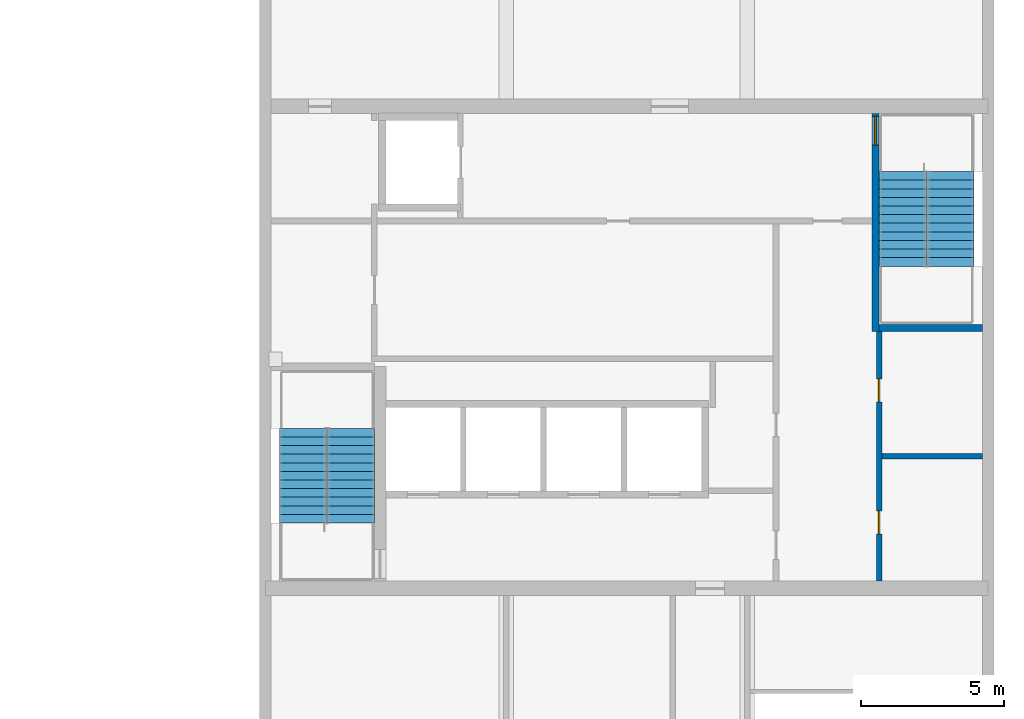
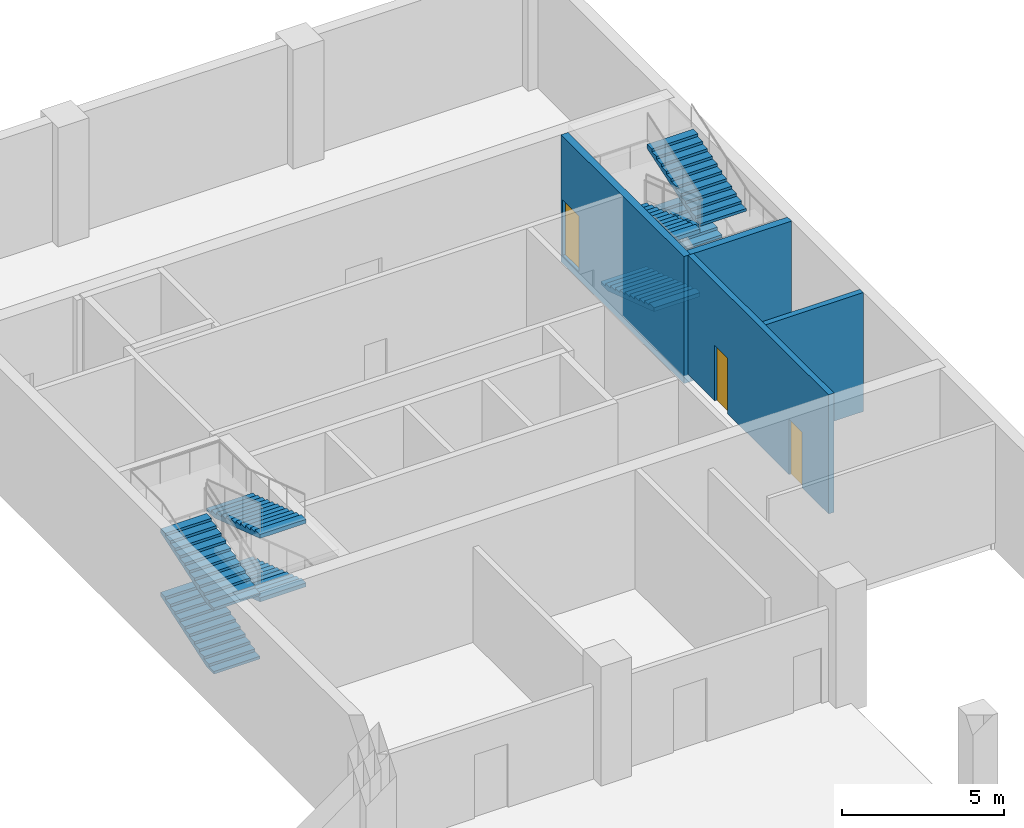
# One storey, part 9 of 13: 8 stair flights, 4 walls, 3 doors, 3 openings, 2 elements without a shape of their own.
"""IFC4 building model written with IfcOpenShell, lengths in metres."""

from ifc_helpers import new_model, si_unit, direction, frame, frame_2d, origin, place, context, subcontext, project, spatial, polyline, rectangle, outline, extrude, material, layer, layer_set, type_object, element, fill, aggregate, save


model = new_model("IFC4")

# Units and contexts
model_context = context("Model", 3, precision=1e-05, world=origin(), true_north=direction((0.0, 1.0)))
body_context = subcontext(model_context, "Body", "Model", "MODEL_VIEW")
ifc_project = project(units=[si_unit("LENGTHUNIT", "METRE"), si_unit("AREAUNIT", "SQUARE_METRE"), si_unit("VOLUMEUNIT", "CUBIC_METRE"), si_unit("PLANEANGLEUNIT", "RADIAN"), si_unit("MASSUNIT", "GRAM", prefix="KILO")], contexts=[model_context])

# Site, building, storey
site_placement = place(None, origin())
site = spatial("IfcSite", under=ifc_project, at=site_placement, CompositionType="ELEMENT")
building_placement = place(site_placement, origin())
building = spatial("IfcBuilding", under=site, at=building_placement, Name="Rulbaag Community and Learning Centre", CompositionType="ELEMENT")
storey_placement = place(building_placement, frame((0.0, 0.0, -4.800048828125)))
storey = spatial("IfcBuildingStorey", under=building, at=storey_placement, Name="B1", CompositionType="ELEMENT", Elevation=-4.800048828125)

# Wall
ifc_material_1 = material(Name="Concrete blockwork", Category="masonry")
ifc_layer_1 = layer(ifc_material_1, 0.199951171875)
ifc_layer_set_1 = layer_set([ifc_layer_1], Name="FW-200 FIRE WALL 200")
wall_type_1 = type_object("IfcWallType", Name="FW-200 FIRE WALL 200", PredefinedType="SOLIDWALL", material=ifc_layer_set_1)
wall_1_placement = place(storey_placement, frame((164.300048828125, 97.0, 0.0), z_axis=(0.0, 0.0, 1.0), x_axis=(1.0, 0.0, 0.0)))
element("IfcWall", 1, at=wall_1_placement, inside=storey, type_object=wall_type_1, Name="Fire wall B1 15", PredefinedType="SOLIDWALL", context=body_context, shape_type="SweptSolid", body=[
    extrude(rectangle(XDim=3.5, YDim=0.199951171875, at=frame_2d((1.75, 0.0))), origin(), (0.0, 0.0, 1.0), 4.5),
])

# Wall, openings, doors
wall_2_placement = place(storey_placement, frame((164.199951171875, 92.64990234375, 0.0), z_axis=(0.0, 0.0, 1.0), x_axis=(0.0, 1.0, 0.0)))
wall_2 = element("IfcWall", 2, at=wall_2_placement, inside=storey, type_object=wall_type_1, Name="Fire wall B1 33", PredefinedType="SOLIDWALL", context=body_context, shape_type="SweptSolid", body=[
    extrude(rectangle(XDim=8.7001953125, YDim=0.199951171875, at=frame_2d((4.35009765625, 0.0))), origin(), (0.0, 0.0, 1.0), 4.5),
])
opening_1_placement = place(wall_2_placement, frame((1.64990234375, 0.0, 0.0)))
opening_1 = element("IfcOpeningElement", 3, at=opening_1_placement, cuts=wall_2, Name="Opening B1-D027", PredefinedType="OPENING", context=body_context, shape_type="SweptSolid", body=[
    extrude(rectangle(XDim=0.800048828125, YDim=2.10009765625, at=frame_2d((0.39990234375, 1.050048828125))), frame((0.0, 0.10986328125, 0.0), z_axis=(0.0, -1.0, 0.0), x_axis=(1.0, 0.0, 0.0)), (0.0, 0.0, 1.0), 0.219970703125),
])
opening_2_placement = place(wall_2_placement, frame((6.25, 0.0, 0.0)))
opening_2 = element("IfcOpeningElement", 4, at=opening_2_placement, cuts=wall_2, Name="Opening B1-D028", PredefinedType="OPENING", context=body_context, shape_type="SweptSolid", body=[
    extrude(rectangle(XDim=0.800048828125, YDim=2.10009765625, at=frame_2d((0.39990234375, 1.050048828125))), frame((0.0, 0.10986328125, 0.0), z_axis=(0.0, -1.0, 0.0), x_axis=(1.0, 0.0, 0.0)), (0.0, 0.0, 1.0), 0.219970703125),
])
ifc_material_2 = material(Name="Galvanised steel", Category="steel")
door_type_1 = type_object("IfcDoorType", Name="FDR-800 RISER FIRE DOOR 800 x 2100", OperationType="SINGLE_SWING_LEFT", PredefinedType="DOOR", material=ifc_material_2)
door_1_placement = place(opening_1_placement, origin())
door_1 = element("IfcDoor", 5, at=door_1_placement, inside=storey, type_object=door_type_1, Name="Riser door B1-D018", OperationType="SINGLE_SWING_LEFT", OverallHeight=2.10009765625, OverallWidth=0.800048828125, PredefinedType="DOOR", context=body_context, shape_type="SweptSolid", body=[
    extrude(rectangle(XDim=0.800048828125, YDim=2.10009765625, at=frame_2d((0.39990234375, 1.050048828125))), frame((0.0, 0.02490234375, 0.0), z_axis=(0.0, -1.0, 0.0), x_axis=(1.0, 0.0, 0.0)), (0.0, 0.0, 1.0), 0.050048828125),
])
fill(opening_1, door_1)
door_2_placement = place(opening_2_placement, origin())
door_2 = element("IfcDoor", 6, at=door_2_placement, inside=storey, type_object=door_type_1, Name="Riser door B1-D019", OperationType="SINGLE_SWING_RIGHT", OverallHeight=2.10009765625, OverallWidth=0.800048828125, PredefinedType="DOOR", context=body_context, shape_type="SweptSolid", body=[
    extrude(rectangle(XDim=0.800048828125, YDim=2.10009765625, at=frame_2d((0.39990234375, 1.050048828125))), frame((0.0, 0.02490234375, 0.0), z_axis=(0.0, -1.0, 0.0), x_axis=(1.0, 0.0, 0.0)), (0.0, 0.0, 1.0), 0.050048828125),
])
fill(opening_2, door_2)

# Wall, opening, door
ifc_material_3 = material(Name="Concrete M40", Category="concrete")
ifc_layer_2 = layer(ifc_material_3, 0.25)
ifc_layer_set_2 = layer_set([ifc_layer_2], Name="W5 Shaft wall 250 Concrete M40")
wall_type_2 = type_object("IfcWallType", Name="W5 Shaft wall 250 Concrete M40", PredefinedType="SHEAR", material=ifc_layer_set_2)
wall_3_placement = place(storey_placement, frame((164.074951171875, 101.35009765625, -0.300048828125), z_axis=(0.0, 0.0, 1.0), x_axis=(0.0, 1.0, 0.0)))
wall_3 = element("IfcWall", 7, at=wall_3_placement, inside=storey, type_object=wall_type_2, Name="WL-ST2-W-B1", PredefinedType="SHEAR", context=body_context, shape_type="SweptSolid", body=[
    extrude(rectangle(XDim=7.599853515625, YDim=0.25, at=frame_2d((3.7998046875, 0.0))), origin(), (0.0, 0.0, 1.0), 4.800048828125),
])
opening_3_placement = place(wall_3_placement, frame((6.5, 0.0, 0.300048828125)))
opening_3 = element("IfcOpeningElement", 8, at=opening_3_placement, cuts=wall_3, Name="Opening B1-D026", PredefinedType="OPENING", context=body_context, shape_type="SweptSolid", body=[
    extrude(rectangle(XDim=1.0, YDim=2.10009765625, at=frame_2d((0.5, 1.050048828125))), frame((0.0, 0.135009765625, 0.0), z_axis=(0.0, -1.0, 0.0), x_axis=(1.0, 0.0, 0.0)), (0.0, 0.0, 1.0), 0.27001953125),
])
door_type_2 = type_object("IfcDoorType", Name="FD-1000 FIRE DOOR 1000 x 2100", OperationType="SINGLE_SWING_LEFT", PredefinedType="DOOR", material=ifc_material_2)
door_3_placement = place(opening_3_placement, origin())
door_3 = element("IfcDoor", 9, at=door_3_placement, inside=storey, type_object=door_type_2, Name="Door B1-D026", OperationType="SINGLE_SWING_LEFT", OverallHeight=2.10009765625, OverallWidth=1.0, PredefinedType="DOOR", context=body_context, shape_type="SweptSolid", body=[
    extrude(rectangle(XDim=1.0, YDim=2.10009765625, at=frame_2d((0.5, 1.050048828125))), frame((0.0, 0.02490234375, 0.0), z_axis=(0.0, -1.0, 0.0), x_axis=(1.0, 0.0, 0.0)), (0.0, 0.0, 1.0), 0.050048828125),
])
fill(opening_3, door_3)

# Wall
wall_4_placement = place(storey_placement, frame((164.199951171875, 101.47509765625, -0.300048828125), z_axis=(0.0, 0.0, 1.0), x_axis=(1.0, 0.0, 0.0)))
element("IfcWall", 10, at=wall_4_placement, inside=storey, type_object=wall_type_2, Name="WL-ST2-S-B1", PredefinedType="SHEAR", context=body_context, shape_type="SweptSolid", body=[
    extrude(rectangle(XDim=3.60009765625, YDim=0.25, at=frame_2d((1.800048828125, 0.0))), origin(), (0.0, 0.0, 1.0), 4.800048828125),
])

# Stair, stair flights
stair_type = type_object("IfcStairType", Name="ST-1650 STAIR 1650 WIDE", PredefinedType="HALF_TURN_STAIR", material=ifc_material_3)
stair_1_placement = place(storey_placement, origin())
stair_1 = element("IfcStair", 11, at=stair_1_placement, inside=storey, type_object=stair_type, Name="Stair ST1 B1", PredefinedType="HALF_TURN_STAIR")
stair_flight_type = type_object("IfcStairFlightType", Name="FL-1650 FLIGHT 1650 WIDE Concrete M40", PredefinedType="STRAIGHT", material=ifc_material_3)
stair_flight_1_placement = place(storey_placement, frame((144.125, 94.675048828125, 0.0), z_axis=(0.0, 0.0, 1.0), x_axis=(0.0, 1.0, 0.0)))
stair_flight_1 = element("IfcStairFlight", 12, at=stair_flight_1_placement, type_object=stair_flight_type, Name="ST1 flight 1", NumberOfRisers=12, NumberOfTreads=11, PredefinedType="STRAIGHT", RiserHeight=0.1, TreadLength=0.3, context=body_context, shape_type="SweptSolid", body=[
    extrude(outline(polyline([(0.0, 0.0), (0.0, 0.10009765625), (0.300048828125, 0.10009765625), (0.300048828125, 0.199951171875), (0.60009765625, 0.199951171875), (0.60009765625, 0.300048828125), (0.89990234375, 0.300048828125), (0.89990234375, 0.39990234375), (1.199951171875, 0.39990234375), (1.199951171875, 0.5), (1.5, 0.5), (1.5, 0.60009765625), (1.800048828125, 0.60009765625), (1.800048828125, 0.699951171875), (2.10009765625, 0.699951171875), (2.10009765625, 0.800048828125), (2.39990234375, 0.800048828125), (2.39990234375, 0.89990234375), (2.699951171875, 0.89990234375), (2.699951171875, 1.0), (3.0, 1.0), (3.0, 1.10009765625), (3.300048828125, 1.10009765625), (3.300048828125, 0.95263671875), (0.4423828125, 0.0), (0.0, 0.0)])), frame((0.0, 0.824951171875, 0.0), z_axis=(0.0, -1.0, 0.0), x_axis=(1.0, 0.0, 0.0)), (0.0, 0.0, 1.0), 1.64990234375),
])
stair_flight_2_placement = place(storey_placement, frame((145.77490234375, 97.97509765625, 1.199951171875), z_axis=(0.0, 0.0, 1.0), x_axis=(0.0, -1.0, 0.0)))
stair_flight_2 = element("IfcStairFlight", 13, at=stair_flight_2_placement, type_object=stair_flight_type, Name="ST1 flight 2", NumberOfRisers=12, NumberOfTreads=11, PredefinedType="STRAIGHT", RiserHeight=0.1, TreadLength=0.3, context=body_context, shape_type="SweptSolid", body=[
    extrude(outline(polyline([(0.0, 0.0), (0.0, 0.10009765625), (0.300048828125, 0.10009765625), (0.300048828125, 0.199951171875), (0.60009765625, 0.199951171875), (0.60009765625, 0.300048828125), (0.89990234375, 0.300048828125), (0.89990234375, 0.39990234375), (1.199951171875, 0.39990234375), (1.199951171875, 0.5), (1.5, 0.5), (1.5, 0.60009765625), (1.800048828125, 0.60009765625), (1.800048828125, 0.699951171875), (2.10009765625, 0.699951171875), (2.10009765625, 0.800048828125), (2.39990234375, 0.800048828125), (2.39990234375, 0.89990234375), (2.699951171875, 0.89990234375), (2.699951171875, 1.0), (3.0, 1.0), (3.0, 1.10009765625), (3.300048828125, 1.10009765625), (3.300048828125, 0.95263671875), (0.4423828125, 0.0), (0.0, 0.0)])), frame((0.0, 0.824951171875, 0.0), z_axis=(0.0, -1.0, 0.0), x_axis=(1.0, 0.0, 0.0)), (0.0, 0.0, 1.0), 1.64990234375),
])
stair_flight_3_placement = place(storey_placement, frame((144.125, 94.675048828125, 2.400146484375), z_axis=(0.0, 0.0, 1.0), x_axis=(0.0, 1.0, 0.0)))
stair_flight_3 = element("IfcStairFlight", 14, at=stair_flight_3_placement, type_object=stair_flight_type, Name="ST1 flight 3", NumberOfRisers=12, NumberOfTreads=11, PredefinedType="STRAIGHT", RiserHeight=0.1, TreadLength=0.3, context=body_context, shape_type="SweptSolid", body=[
    extrude(outline(polyline([(0.0, 0.0), (0.0, 0.10009765625), (0.300048828125, 0.10009765625), (0.300048828125, 0.199951171875), (0.60009765625, 0.199951171875), (0.60009765625, 0.300048828125), (0.89990234375, 0.300048828125), (0.89990234375, 0.39990234375), (1.199951171875, 0.39990234375), (1.199951171875, 0.5), (1.5, 0.5), (1.5, 0.60009765625), (1.800048828125, 0.60009765625), (1.800048828125, 0.699951171875), (2.10009765625, 0.699951171875), (2.10009765625, 0.800048828125), (2.39990234375, 0.800048828125), (2.39990234375, 0.89990234375), (2.699951171875, 0.89990234375), (2.699951171875, 1.0), (3.0, 1.0), (3.0, 1.10009765625), (3.300048828125, 1.10009765625), (3.300048828125, 0.95263671875), (0.4423828125, 0.0), (0.0, 0.0)])), frame((0.0, 0.824951171875, 0.0), z_axis=(0.0, -1.0, 0.0), x_axis=(1.0, 0.0, 0.0)), (0.0, 0.0, 1.0), 1.64990234375),
])
stair_flight_4_placement = place(storey_placement, frame((145.77490234375, 97.97509765625, 3.60009765625), z_axis=(0.0, 0.0, 1.0), x_axis=(0.0, -1.0, 0.0)))
stair_flight_4 = element("IfcStairFlight", 15, at=stair_flight_4_placement, type_object=stair_flight_type, Name="ST1 flight 4", NumberOfRisers=12, NumberOfTreads=11, PredefinedType="STRAIGHT", RiserHeight=0.1, TreadLength=0.3, context=body_context, shape_type="SweptSolid", body=[
    extrude(outline(polyline([(0.0, 0.0), (0.0, 0.10009765625), (0.300048828125, 0.10009765625), (0.300048828125, 0.199951171875), (0.60009765625, 0.199951171875), (0.60009765625, 0.300048828125), (0.89990234375, 0.300048828125), (0.89990234375, 0.39990234375), (1.199951171875, 0.39990234375), (1.199951171875, 0.5), (1.5, 0.5), (1.5, 0.60009765625), (1.800048828125, 0.60009765625), (1.800048828125, 0.699951171875), (2.10009765625, 0.699951171875), (2.10009765625, 0.800048828125), (2.39990234375, 0.800048828125), (2.39990234375, 0.89990234375), (2.699951171875, 0.89990234375), (2.699951171875, 1.0), (3.0, 1.0), (3.0, 1.10009765625), (3.300048828125, 1.10009765625), (3.300048828125, 0.95263671875), (0.4423828125, 0.0), (0.0, 0.0)])), frame((0.0, 0.824951171875, 0.0), z_axis=(0.0, -1.0, 0.0), x_axis=(1.0, 0.0, 0.0)), (0.0, 0.0, 1.0), 1.64990234375),
])
aggregate(stair_1, [stair_flight_1, stair_flight_2, stair_flight_3, stair_flight_4])

stair_2_placement = place(storey_placement, origin())
stair_2 = element("IfcStair", 16, at=stair_2_placement, inside=storey, type_object=stair_type, Name="Stair ST2 B1", PredefinedType="HALF_TURN_STAIR")
stair_flight_5_placement = place(storey_placement, frame((165.02490234375, 106.925048828125, 0.0), z_axis=(0.0, 0.0, 1.0), x_axis=(0.0, -1.0, 0.0)))
stair_flight_5 = element("IfcStairFlight", 17, at=stair_flight_5_placement, type_object=stair_flight_type, Name="ST2 flight 1", NumberOfRisers=12, NumberOfTreads=11, PredefinedType="STRAIGHT", RiserHeight=0.1, TreadLength=0.3, context=body_context, shape_type="SweptSolid", body=[
    extrude(outline(polyline([(0.0, 0.0), (0.0, 0.10009765625), (0.300048828125, 0.10009765625), (0.300048828125, 0.199951171875), (0.60009765625, 0.199951171875), (0.60009765625, 0.300048828125), (0.89990234375, 0.300048828125), (0.89990234375, 0.39990234375), (1.199951171875, 0.39990234375), (1.199951171875, 0.5), (1.5, 0.5), (1.5, 0.60009765625), (1.800048828125, 0.60009765625), (1.800048828125, 0.699951171875), (2.10009765625, 0.699951171875), (2.10009765625, 0.800048828125), (2.39990234375, 0.800048828125), (2.39990234375, 0.89990234375), (2.699951171875, 0.89990234375), (2.699951171875, 1.0), (3.0, 1.0), (3.0, 1.10009765625), (3.300048828125, 1.10009765625), (3.300048828125, 0.95263671875), (0.4423828125, 0.0), (0.0, 0.0)])), frame((0.0, 0.824951171875, 0.0), z_axis=(0.0, -1.0, 0.0), x_axis=(1.0, 0.0, 0.0)), (0.0, 0.0, 1.0), 1.64990234375),
])
stair_flight_6_placement = place(storey_placement, frame((166.675048828125, 103.625, 1.199951171875), z_axis=(0.0, 0.0, 1.0), x_axis=(0.0, 1.0, 0.0)))
stair_flight_6 = element("IfcStairFlight", 18, at=stair_flight_6_placement, type_object=stair_flight_type, Name="ST2 flight 2", NumberOfRisers=12, NumberOfTreads=11, PredefinedType="STRAIGHT", RiserHeight=0.1, TreadLength=0.3, context=body_context, shape_type="SweptSolid", body=[
    extrude(outline(polyline([(0.0, 0.0), (0.0, 0.10009765625), (0.300048828125, 0.10009765625), (0.300048828125, 0.199951171875), (0.60009765625, 0.199951171875), (0.60009765625, 0.300048828125), (0.89990234375, 0.300048828125), (0.89990234375, 0.39990234375), (1.199951171875, 0.39990234375), (1.199951171875, 0.5), (1.5, 0.5), (1.5, 0.60009765625), (1.800048828125, 0.60009765625), (1.800048828125, 0.699951171875), (2.10009765625, 0.699951171875), (2.10009765625, 0.800048828125), (2.39990234375, 0.800048828125), (2.39990234375, 0.89990234375), (2.699951171875, 0.89990234375), (2.699951171875, 1.0), (3.0, 1.0), (3.0, 1.10009765625), (3.300048828125, 1.10009765625), (3.300048828125, 0.95263671875), (0.4423828125, 0.0), (0.0, 0.0)])), frame((0.0, 0.824951171875, 0.0), z_axis=(0.0, -1.0, 0.0), x_axis=(1.0, 0.0, 0.0)), (0.0, 0.0, 1.0), 1.64990234375),
])
stair_flight_7_placement = place(storey_placement, frame((165.02490234375, 106.925048828125, 2.400146484375), z_axis=(0.0, 0.0, 1.0), x_axis=(0.0, -1.0, 0.0)))
stair_flight_7 = element("IfcStairFlight", 19, at=stair_flight_7_placement, type_object=stair_flight_type, Name="ST2 flight 3", NumberOfRisers=12, NumberOfTreads=11, PredefinedType="STRAIGHT", RiserHeight=0.1, TreadLength=0.3, context=body_context, shape_type="SweptSolid", body=[
    extrude(outline(polyline([(0.0, 0.0), (0.0, 0.10009765625), (0.300048828125, 0.10009765625), (0.300048828125, 0.199951171875), (0.60009765625, 0.199951171875), (0.60009765625, 0.300048828125), (0.89990234375, 0.300048828125), (0.89990234375, 0.39990234375), (1.199951171875, 0.39990234375), (1.199951171875, 0.5), (1.5, 0.5), (1.5, 0.60009765625), (1.800048828125, 0.60009765625), (1.800048828125, 0.699951171875), (2.10009765625, 0.699951171875), (2.10009765625, 0.800048828125), (2.39990234375, 0.800048828125), (2.39990234375, 0.89990234375), (2.699951171875, 0.89990234375), (2.699951171875, 1.0), (3.0, 1.0), (3.0, 1.10009765625), (3.300048828125, 1.10009765625), (3.300048828125, 0.95263671875), (0.4423828125, 0.0), (0.0, 0.0)])), frame((0.0, 0.824951171875, 0.0), z_axis=(0.0, -1.0, 0.0), x_axis=(1.0, 0.0, 0.0)), (0.0, 0.0, 1.0), 1.64990234375),
])
stair_flight_8_placement = place(storey_placement, frame((166.675048828125, 103.625, 3.60009765625), z_axis=(0.0, 0.0, 1.0), x_axis=(0.0, 1.0, 0.0)))
stair_flight_8 = element("IfcStairFlight", 20, at=stair_flight_8_placement, type_object=stair_flight_type, Name="ST2 flight 4", NumberOfRisers=12, NumberOfTreads=11, PredefinedType="STRAIGHT", RiserHeight=0.1, TreadLength=0.3, context=body_context, shape_type="SweptSolid", body=[
    extrude(outline(polyline([(0.0, 0.0), (0.0, 0.10009765625), (0.300048828125, 0.10009765625), (0.300048828125, 0.199951171875), (0.60009765625, 0.199951171875), (0.60009765625, 0.300048828125), (0.89990234375, 0.300048828125), (0.89990234375, 0.39990234375), (1.199951171875, 0.39990234375), (1.199951171875, 0.5), (1.5, 0.5), (1.5, 0.60009765625), (1.800048828125, 0.60009765625), (1.800048828125, 0.699951171875), (2.10009765625, 0.699951171875), (2.10009765625, 0.800048828125), (2.39990234375, 0.800048828125), (2.39990234375, 0.89990234375), (2.699951171875, 0.89990234375), (2.699951171875, 1.0), (3.0, 1.0), (3.0, 1.10009765625), (3.300048828125, 1.10009765625), (3.300048828125, 0.95263671875), (0.4423828125, 0.0), (0.0, 0.0)])), frame((0.0, 0.824951171875, 0.0), z_axis=(0.0, -1.0, 0.0), x_axis=(1.0, 0.0, 0.0)), (0.0, 0.0, 1.0), 1.64990234375),
])
aggregate(stair_2, [stair_flight_5, stair_flight_6, stair_flight_7, stair_flight_8])

save(model, "model.ifc")
